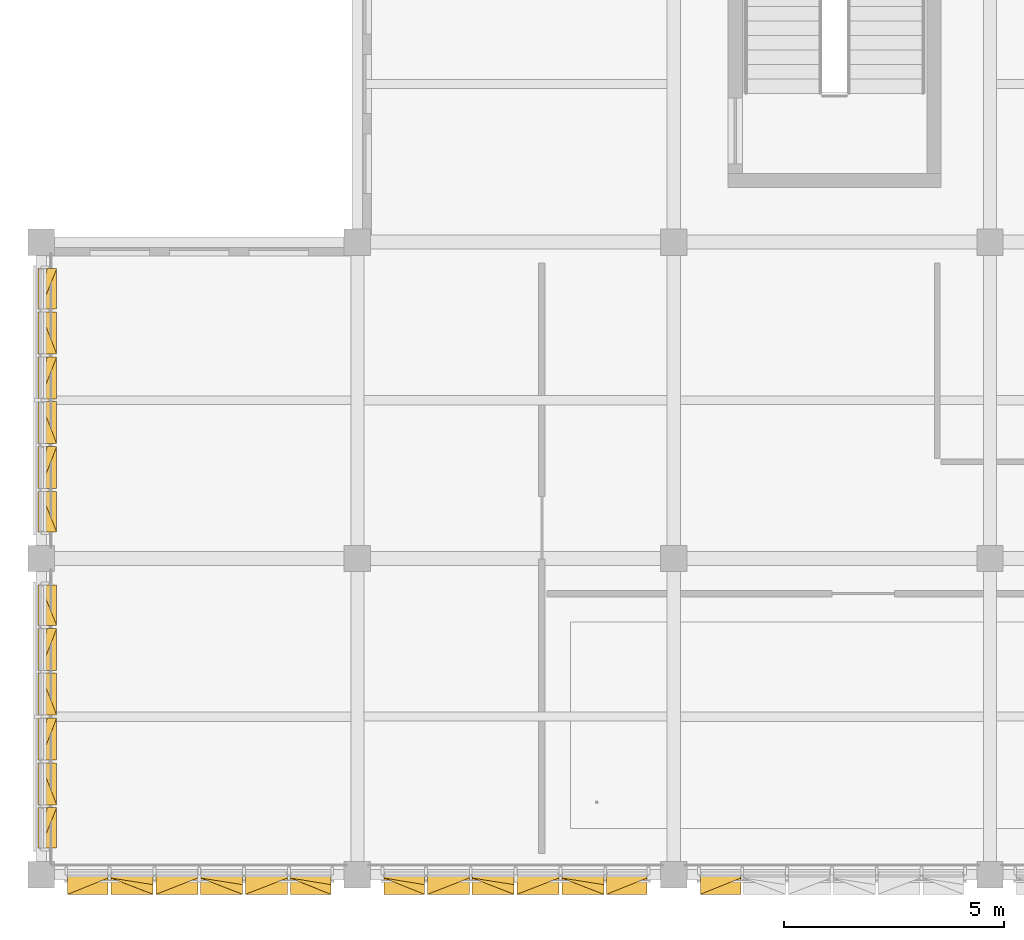
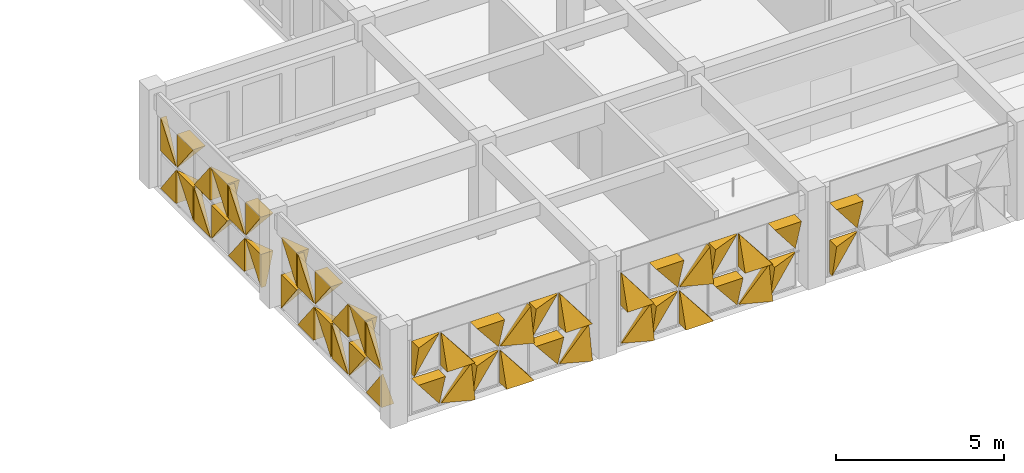
# One storey, part 86 of 99: 50 coverings.
"""IFC4 building model written with IfcOpenShell, lengths in metres."""

import ifcopenshell
import ifcopenshell.guid

model = None  # the IFC model being written
_history = None  # IfcOwnerHistory: only IFC2X3 demands one
_inside = {}  # id of a spatial element -> (the spatial element, [elements in it])
_under = {}  # id of a project, library or spatial element -> (it, [spatial elements below it])
_declared = {}  # id of a project -> (the project, [libraries it declares])
_typed = {}  # id of a type object -> (the type object, [elements of that type])
_made_of = {}  # id of a material, layer set ... -> (it, [elements and type objects made of it])


def new_model(schema):
    """Start an empty IFC model of exactly this schema.

    Asked for "IFC4X3", IfcOpenShell would pick the latest addendum, in which some entities
    have other attributes; the version numbers below select the first issue.
    IFC2X3 requires an IfcOwnerHistory on every rooted entity: one is made here for all.
    """
    global model, _history
    if schema == "IFC4X3":
        model = ifcopenshell.file(schema_version=(4, 3, 0, 0))
    else:
        model = ifcopenshell.file(schema=schema)
    _inside.clear()
    _under.clear()
    _declared.clear()
    _typed.clear()
    _made_of.clear()
    _history = None
    if model.schema == "IFC2X3":
        org = make("IfcOrganization", Name="unknown")
        user = make(
            "IfcPersonAndOrganization",
            ThePerson=make("IfcPerson", FamilyName="unknown"),
            TheOrganization=org,
        )
        app = make(
            "IfcApplication",
            ApplicationDeveloper=org,
            Version="unknown",
            ApplicationFullName="unknown",
            ApplicationIdentifier="unknown",
        )
        _history = make(
            "IfcOwnerHistory",
            OwningUser=user,
            OwningApplication=app,
            ChangeAction="ADDED",
            CreationDate=0,
        )
    return model


def make(cls, **values):
    """One entity of the class cls with the attributes given. An attribute that is None is left unset."""
    return model.create_entity(
        cls, **{name: value for name, value in values.items() if value is not None}
    )


def rooted(cls, **values):
    """An entity with a GlobalId (a new one), such as an element, a storey or a relation."""
    return make(cls, GlobalId=ifcopenshell.guid.new(), OwnerHistory=_history, **values)


def si_unit(unit_type, name, prefix=None):
    """IfcSIUnit, for example si_unit("LENGTHUNIT", "METRE", prefix="MILLI")."""
    return make("IfcSIUnit", UnitType=unit_type, Prefix=prefix, Name=name)


def assignment(units):
    """IfcUnitAssignment: the units of a project."""
    return None if units is None else make("IfcUnitAssignment", Units=units)


def point(xyz):
    """IfcCartesianPoint."""
    return None if xyz is None else make("IfcCartesianPoint", Coordinates=xyz)


def direction(xyz):
    """IfcDirection."""
    return None if xyz is None else make("IfcDirection", DirectionRatios=xyz)


def frame(location, z_axis=None, x_axis=None):
    """IfcAxis2Placement3D, a coordinate frame: its origin and axes. An axis left out is left unset."""
    return make(
        "IfcAxis2Placement3D",
        Location=point(location),
        Axis=direction(z_axis),
        RefDirection=direction(x_axis),
    )


def origin():
    """The frame at (0, 0, 0) with its axes left unset."""
    return frame((0.0, 0.0, 0.0))


def place(relative_to, where):
    """IfcLocalPlacement: puts the frame where relative to a parent placement (None: the world)."""
    return make(
        "IfcLocalPlacement", PlacementRelTo=relative_to, RelativePlacement=where
    )


def context(
    kind, dimensions, precision=None, world=None, true_north=None, identifier=None
):
    """IfcGeometricRepresentationContext, for example the 3D "Model" context."""
    return make(
        "IfcGeometricRepresentationContext",
        ContextIdentifier=identifier,
        ContextType=kind,
        CoordinateSpaceDimension=dimensions,
        Precision=precision,
        WorldCoordinateSystem=world,
        TrueNorth=true_north,
    )


def subcontext(parent, identifier, kind, view, scale=None):
    """IfcGeometricRepresentationSubContext, for example "Body" below "Model"."""
    return make(
        "IfcGeometricRepresentationSubContext",
        ContextIdentifier=identifier,
        ContextType=kind,
        ParentContext=parent,
        TargetScale=scale,
        TargetView=view,
    )


def project(units=None, contexts=None):
    """IfcProject with its units and contexts."""
    return rooted(
        "IfcProject",
        Name="project",
        RepresentationContexts=contexts,
        UnitsInContext=assignment(units),
    )


def spatial(cls, under=None, at=None, **own):
    """A site, building, storey or space (cls), placed at a placement, below another one or the project."""
    s = rooted(cls, ObjectPlacement=at, **own)
    if under is not None:
        _under.setdefault(under.id(), (under, []))[1].append(s)
    return s


def point_list(points):
    """IfcCartesianPointList2D or 3D."""
    cls = (
        "IfcCartesianPointList2D" if len(points[0]) == 2 else "IfcCartesianPointList3D"
    )
    return make(cls, CoordList=points)


def polygons(points, faces, closed=None, point_numbers=None):
    """IfcPolygonalFaceSet: a face is its outer loop, then its inner loops; points numbered from 1."""
    made = []
    for loops in faces:
        if len(loops) == 1:
            made.append(make("IfcIndexedPolygonalFace", CoordIndex=loops[0]))
        else:
            made.append(
                make(
                    "IfcIndexedPolygonalFaceWithVoids",
                    CoordIndex=loops[0],
                    InnerCoordIndices=loops[1:],
                )
            )
    return make(
        "IfcPolygonalFaceSet",
        Coordinates=point_list(points),
        Closed=closed,
        Faces=made,
        PnIndex=point_numbers,
    )


def shape(context_of_items, identifier, shape_type, items):
    """IfcShapeRepresentation: the items that make up one representation, for example the "Body"."""
    return make(
        "IfcShapeRepresentation",
        ContextOfItems=context_of_items,
        RepresentationIdentifier=identifier,
        RepresentationType=shape_type,
        Items=items,
    )


def material(Name=None, Category=None):
    """IfcMaterial."""
    return make("IfcMaterial", Name=Name, Category=Category)


def layer(
    of_material, thickness, ventilated=None, Name=None, Category=None, Priority=None
):
    """IfcMaterialLayer: one layer of a wall or slab, of a material (None: an air gap)."""
    return make(
        "IfcMaterialLayer",
        Material=of_material,
        LayerThickness=thickness,
        IsVentilated=ventilated,
        Name=Name,
        Category=Category,
        Priority=Priority,
    )


def layer_set(layers, Name=None):
    """IfcMaterialLayerSet."""
    return make("IfcMaterialLayerSet", MaterialLayers=layers, LayerSetName=Name)


def made_of(thing, what):
    """Note that an element or type object is made of a material, layer set ...; save() writes the relation."""
    if what is not None:
        _made_of.setdefault(what.id(), (what, []))[1].append(thing)
    return thing


def type_object(cls, material=None, **own):
    """A type object (cls), such as IfcWallType, which elements share."""
    return made_of(rooted(cls, **own), material)


def element(
    cls,
    number,
    at=None,
    inside=None,
    cuts=None,
    type_object=None,
    material=None,
    context=None,
    identifier="Body",
    shape_type=None,
    held_by="IfcProductDefinitionShape",
    body=None,
    shapes=None,
    **own,
):
    """One element of the class cls, such as IfcWall. Its Tag is "e" and its number.

    at: its placement. inside: the storey or other place that contains it. cuts: it is an
    opening in that element (IfcRelVoidsElement). A single representation is given by context,
    identifier, shape_type and body (its items); several are given by shapes. held_by: the class
    of the entity that holds the representations. save() writes the other relations.
    """
    e = rooted(cls, Tag="e%d" % number, ObjectPlacement=at, **own)
    if body is not None:
        shapes = [shape(context, identifier, shape_type, body)]
    if shapes is not None:
        e.Representation = make(held_by, Representations=shapes)
    if inside is not None:
        _inside.setdefault(inside.id(), (inside, []))[1].append(e)
    if cuts is not None:
        rooted(
            "IfcRelVoidsElement", RelatingBuildingElement=cuts, RelatedOpeningElement=e
        )
    if type_object is not None:
        _typed.setdefault(type_object.id(), (type_object, []))[1].append(e)
    return made_of(e, material)


def aggregate(whole, parts):
    """IfcRelAggregates: a whole, such as a stair, and the parts it consists of."""
    return rooted("IfcRelAggregates", RelatingObject=whole, RelatedObjects=parts)


def save(model, path):
    """Write the relations noted so far, then the file.

    IfcRelAggregates (storeys below a building ...), IfcRelContainedInSpatialStructure (elements
    in a storey), IfcRelDefinesByType, IfcRelAssociatesMaterial and IfcRelDeclares: one each for
    every whole, place, type object, material and project.
    """
    for whole, parts in _under.values():
        aggregate(whole, parts)
    for where, things in _inside.values():
        rooted(
            "IfcRelContainedInSpatialStructure",
            RelatedElements=things,
            RelatingStructure=where,
        )
    for kind, things in _typed.values():
        rooted("IfcRelDefinesByType", RelatedObjects=things, RelatingType=kind)
    for what, things in _made_of.values():
        rooted("IfcRelAssociatesMaterial", RelatedObjects=things, RelatingMaterial=what)
    for by, libraries in _declared.values():
        rooted("IfcRelDeclares", RelatingContext=by, RelatedDefinitions=libraries)
    model.write(path)


model = new_model("IFC4")

# Units and contexts
model_context = context("Model", 3, precision=1e-05, world=origin(), true_north=direction((0.0, 1.0)))
body_context = subcontext(model_context, "Body", "Model", "MODEL_VIEW")
ifc_project = project(units=[si_unit("LENGTHUNIT", "METRE"), si_unit("AREAUNIT", "SQUARE_METRE"), si_unit("VOLUMEUNIT", "CUBIC_METRE"), si_unit("PLANEANGLEUNIT", "RADIAN"), si_unit("MASSUNIT", "GRAM", prefix="KILO")], contexts=[model_context])

# Site, building, storey
site_placement = place(None, origin())
site = spatial("IfcSite", under=ifc_project, at=site_placement, CompositionType="ELEMENT")
building_placement = place(site_placement, origin())
building = spatial("IfcBuilding", under=site, at=building_placement, Name="Alvorim Cloister Faculty of Sciences", CompositionType="ELEMENT")
storey_placement = place(building_placement, frame((0.0, 0.0, 12.14990234375)))
storey = spatial("IfcBuildingStorey", under=building, at=storey_placement, Name="L03", CompositionType="ELEMENT", Elevation=12.14990234375)

# Coverings
ifc_material = material(Name="Perforated Bronze Alloy Sheet", Category="metal")
ifc_layer = layer(ifc_material, 0.0380859375)
ifc_layer_set = layer_set([ifc_layer], Name="Perforated Bronze Alloy Sheet")
covering_type = type_object("IfcCoveringType", Name="COV-TRI-BRZ", PredefinedType="CLADDING", material=ifc_layer_set)
covering_1_placement = place(storey_placement, frame((15.0048828125, -0.044921875, 0.14013671875), z_axis=(0.0, 0.0, 1.0), x_axis=(1.0, 0.0, 0.0)))
element("IfcCovering", 1, at=covering_1_placement, inside=storey, type_object=covering_type, Name="Diagonal Solid Metal Triangle TRI-TL", PredefinedType="CLADDING", context=body_context, shape_type="Tessellation", body=[
    polygons([(0.920607421875, 0.0260009765625, 1.21484375), (0.0, 0.0260009765625, 1.21484375), (0.0, 0.0260009765625, 0.002), (0.920607421875, -0.03, 1.21484375), (0.0, -0.4, 1.21484375), (0.0, -0.13999999999999999, 0.002)], [[[1, 3, 2]], [[4, 5, 6]], [[1, 2, 5, 4]], [[2, 3, 6, 5]], [[3, 1, 4, 6]]], closed=True),
])
covering_2_placement = place(storey_placement, frame((15.0048828125, -0.044921875, 1.4951171875), z_axis=(0.0, 0.0, 1.0), x_axis=(1.0, 0.0, 0.0)))
element("IfcCovering", 2, at=covering_2_placement, inside=storey, type_object=covering_type, Name="Diagonal Solid Metal Triangle TRI-TR", PredefinedType="CLADDING", context=body_context, shape_type="Tessellation", body=[
    polygons([(0.922607421875, 0.0260009765625, 0.002), (0.922607421875, 0.0260009765625, 1.215087890625), (0.002, 0.0260009765625, 1.215087890625), (0.922607421875, -0.03, 0.002), (0.922607421875, -0.4, 1.215087890625), (0.002, -0.4, 1.215087890625)], [[[1, 3, 2]], [[4, 5, 6]], [[1, 2, 5, 4]], [[2, 3, 6, 5]], [[3, 1, 4, 6]]], closed=True),
])
covering_3_placement = place(storey_placement, frame((7.804931640625, -0.044921875, 0.14013671875), z_axis=(0.0, 0.0, 1.0), x_axis=(1.0, 0.0, 0.0)))
element("IfcCovering", 3, at=covering_3_placement, inside=storey, type_object=covering_type, Name="Diagonal Solid Metal Triangle TRI-BR", PredefinedType="CLADDING", context=body_context, shape_type="Tessellation", body=[
    polygons([(0.002, 0.0260009765625, 0.0), (0.922607421875, 0.0260009765625, 0.0), (0.922607421875, 0.0260009765625, 1.21284375), (0.002, -0.03, 0.0), (0.922607421875, -0.4, 0.0), (0.922607421875, -0.18000000000000002, 1.21284375)], [[[1, 3, 2]], [[4, 5, 6]], [[1, 2, 5, 4]], [[2, 3, 6, 5]], [[3, 1, 4, 6]]], closed=True),
])
covering_4_placement = place(storey_placement, frame((7.804931640625, -0.044921875, 1.4951171875), z_axis=(0.0, 0.0, 1.0), x_axis=(1.0, 0.0, 0.0)))
element("IfcCovering", 4, at=covering_4_placement, inside=storey, type_object=covering_type, Name="Diagonal Solid Metal Triangle TRI-BL", PredefinedType="CLADDING", context=body_context, shape_type="Tessellation", body=[
    polygons([(0.0, 0.0260009765625, 0.0), (0.920607421875, 0.0260009765625, 0.0), (0.0, 0.0260009765625, 1.213087890625), (0.0, -0.4, 0.0), (0.920607421875, -0.4, 0.0), (0.0, -0.03, 1.213087890625)], [[[1, 3, 2]], [[4, 5, 6]], [[1, 2, 5, 4]], [[2, 3, 6, 5]], [[3, 1, 4, 6]]], closed=True),
])
covering_5_placement = place(storey_placement, frame((8.79248046875, -0.044921875, 0.14013671875), z_axis=(0.0, 0.0, 1.0), x_axis=(1.0, 0.0, 0.0)))
element("IfcCovering", 5, at=covering_5_placement, inside=storey, type_object=covering_type, Name="Diagonal Solid Metal Triangle TRI-TL", PredefinedType="CLADDING", context=body_context, shape_type="Tessellation", body=[
    polygons([(0.953078125, 0.0260009765625, 1.21484375), (0.0, 0.0260009765625, 1.21484375), (0.0, 0.0260009765625, 0.002), (0.953078125, -0.03, 1.21484375), (0.0, -0.4, 1.21484375), (0.0, -0.13999999999999999, 0.002)], [[[1, 3, 2]], [[4, 5, 6]], [[1, 2, 5, 4]], [[2, 3, 6, 5]], [[3, 1, 4, 6]]], closed=True),
])
covering_6_placement = place(storey_placement, frame((8.79248046875, -0.044921875, 1.4951171875), z_axis=(0.0, 0.0, 1.0), x_axis=(1.0, 0.0, 0.0)))
element("IfcCovering", 6, at=covering_6_placement, inside=storey, type_object=covering_type, Name="Diagonal Solid Metal Triangle TRI-TR", PredefinedType="CLADDING", context=body_context, shape_type="Tessellation", body=[
    polygons([(0.955078125, 0.0260009765625, 0.002), (0.955078125, 0.0260009765625, 1.215087890625), (0.002, 0.0260009765625, 1.215087890625), (0.955078125, -0.03, 0.002), (0.955078125, -0.4, 1.215087890625), (0.002, -0.4, 1.215087890625)], [[[1, 3, 2]], [[4, 5, 6]], [[1, 2, 5, 4]], [[2, 3, 6, 5]], [[3, 1, 4, 6]]], closed=True),
])
covering_7_placement = place(storey_placement, frame((9.8125, -0.044921875, 0.14013671875), z_axis=(0.0, 0.0, 1.0), x_axis=(1.0, 0.0, 0.0)))
element("IfcCovering", 7, at=covering_7_placement, inside=storey, type_object=covering_type, Name="Diagonal Solid Metal Triangle TRI-BL", PredefinedType="CLADDING", context=body_context, shape_type="Tessellation", body=[
    polygons([(0.0, 0.0260009765625, 0.0), (0.953078125, 0.0260009765625, 0.0), (0.0, 0.0260009765625, 1.21284375), (0.0, -0.4, 0.0), (0.953078125, -0.4, 0.0), (0.0, -0.03, 1.21284375)], [[[1, 3, 2]], [[4, 5, 6]], [[1, 2, 5, 4]], [[2, 3, 6, 5]], [[3, 1, 4, 6]]], closed=True),
])
covering_8_placement = place(storey_placement, frame((9.8125, -0.044921875, 1.4951171875), z_axis=(0.0, 0.0, 1.0), x_axis=(1.0, 0.0, 0.0)))
element("IfcCovering", 8, at=covering_8_placement, inside=storey, type_object=covering_type, Name="Diagonal Solid Metal Triangle TRI-BR", PredefinedType="CLADDING", context=body_context, shape_type="Tessellation", body=[
    polygons([(0.002, 0.0260009765625, 0.0), (0.955078125, 0.0260009765625, 0.0), (0.955078125, 0.0260009765625, 1.213087890625), (0.002, -0.03, 0.0), (0.955078125, -0.4, 0.0), (0.955078125, -0.18000000000000002, 1.213087890625)], [[[1, 3, 2]], [[4, 5, 6]], [[1, 2, 5, 4]], [[2, 3, 6, 5]], [[3, 1, 4, 6]]], closed=True),
])
covering_9_placement = place(storey_placement, frame((10.83251953125, -0.044921875, 0.14013671875), z_axis=(0.0, 0.0, 1.0), x_axis=(1.0, 0.0, 0.0)))
element("IfcCovering", 9, at=covering_9_placement, inside=storey, type_object=covering_type, Name="Diagonal Solid Metal Triangle TRI-TR", PredefinedType="CLADDING", context=body_context, shape_type="Tessellation", body=[
    polygons([(0.955078125, 0.0260009765625, 0.002), (0.955078125, 0.0260009765625, 1.21484375), (0.002, 0.0260009765625, 1.21484375), (0.955078125, -0.03, 0.002), (0.955078125, -0.4, 1.21484375), (0.002, -0.4, 1.21484375)], [[[1, 3, 2]], [[4, 5, 6]], [[1, 2, 5, 4]], [[2, 3, 6, 5]], [[3, 1, 4, 6]]], closed=True),
])
covering_10_placement = place(storey_placement, frame((10.83251953125, -0.044921875, 1.4951171875), z_axis=(0.0, 0.0, 1.0), x_axis=(1.0, 0.0, 0.0)))
element("IfcCovering", 10, at=covering_10_placement, inside=storey, type_object=covering_type, Name="Diagonal Solid Metal Triangle TRI-TL", PredefinedType="CLADDING", context=body_context, shape_type="Tessellation", body=[
    polygons([(0.953078125, 0.0260009765625, 1.215087890625), (0.0, 0.0260009765625, 1.215087890625), (0.0, 0.0260009765625, 0.002), (0.953078125, -0.03, 1.215087890625), (0.0, -0.4, 1.215087890625), (0.0, -0.13999999999999999, 0.002)], [[[1, 3, 2]], [[4, 5, 6]], [[1, 2, 5, 4]], [[2, 3, 6, 5]], [[3, 1, 4, 6]]], closed=True),
])
covering_11_placement = place(storey_placement, frame((11.8525390625, -0.044921875, 0.14013671875), z_axis=(0.0, 0.0, 1.0), x_axis=(1.0, 0.0, 0.0)))
element("IfcCovering", 11, at=covering_11_placement, inside=storey, type_object=covering_type, Name="Diagonal Solid Metal Triangle TRI-BR", PredefinedType="CLADDING", context=body_context, shape_type="Tessellation", body=[
    polygons([(0.002, 0.0260009765625, 0.0), (0.955078125, 0.0260009765625, 0.0), (0.955078125, 0.0260009765625, 1.21284375), (0.002, -0.03, 0.0), (0.955078125, -0.4, 0.0), (0.955078125, -0.18000000000000002, 1.21284375)], [[[1, 3, 2]], [[4, 5, 6]], [[1, 2, 5, 4]], [[2, 3, 6, 5]], [[3, 1, 4, 6]]], closed=True),
])
covering_12_placement = place(storey_placement, frame((11.8525390625, -0.044921875, 1.4951171875), z_axis=(0.0, 0.0, 1.0), x_axis=(1.0, 0.0, 0.0)))
element("IfcCovering", 12, at=covering_12_placement, inside=storey, type_object=covering_type, Name="Diagonal Solid Metal Triangle TRI-BL", PredefinedType="CLADDING", context=body_context, shape_type="Tessellation", body=[
    polygons([(0.0, 0.0260009765625, 0.0), (0.953078125, 0.0260009765625, 0.0), (0.0, 0.0260009765625, 1.213087890625), (0.0, -0.4, 0.0), (0.953078125, -0.4, 0.0), (0.0, -0.03, 1.213087890625)], [[[1, 3, 2]], [[4, 5, 6]], [[1, 2, 5, 4]], [[2, 3, 6, 5]], [[3, 1, 4, 6]]], closed=True),
])
covering_13_placement = place(storey_placement, frame((12.87255859375, -0.044921875, 0.14013671875), z_axis=(0.0, 0.0, 1.0), x_axis=(1.0, 0.0, 0.0)))
element("IfcCovering", 13, at=covering_13_placement, inside=storey, type_object=covering_type, Name="Diagonal Solid Metal Triangle TRI-TL", PredefinedType="CLADDING", context=body_context, shape_type="Tessellation", body=[
    polygons([(0.920607421875, 0.0260009765625, 1.21484375), (0.0, 0.0260009765625, 1.21484375), (0.0, 0.0260009765625, 0.002), (0.920607421875, -0.03, 1.21484375), (0.0, -0.4, 1.21484375), (0.0, -0.13999999999999999, 0.002)], [[[1, 3, 2]], [[4, 5, 6]], [[1, 2, 5, 4]], [[2, 3, 6, 5]], [[3, 1, 4, 6]]], closed=True),
])
covering_14_placement = place(storey_placement, frame((12.87255859375, -0.044921875, 1.4951171875), z_axis=(0.0, 0.0, 1.0), x_axis=(1.0, 0.0, 0.0)))
element("IfcCovering", 14, at=covering_14_placement, inside=storey, type_object=covering_type, Name="Diagonal Solid Metal Triangle TRI-TR", PredefinedType="CLADDING", context=body_context, shape_type="Tessellation", body=[
    polygons([(0.922607421875, 0.0260009765625, 0.002), (0.922607421875, 0.0260009765625, 1.215087890625), (0.002, 0.0260009765625, 1.215087890625), (0.922607421875, -0.03, 0.002), (0.922607421875, -0.4, 1.215087890625), (0.002, -0.4, 1.215087890625)], [[[1, 3, 2]], [[4, 5, 6]], [[1, 2, 5, 4]], [[2, 3, 6, 5]], [[3, 1, 4, 6]]], closed=True),
])
covering_15_placement = place(storey_placement, frame((0.60498046875, -0.044921875, 0.14013671875), z_axis=(0.0, 0.0, 1.0), x_axis=(1.0, 0.0, 0.0)))
element("IfcCovering", 15, at=covering_15_placement, inside=storey, type_object=covering_type, Name="Diagonal Solid Metal Triangle TRI-TR", PredefinedType="CLADDING", context=body_context, shape_type="Tessellation", body=[
    polygons([(0.922607421875, 0.0260009765625, 0.002), (0.922607421875, 0.0260009765625, 1.21484375), (0.002, 0.0260009765625, 1.21484375), (0.922607421875, -0.03, 0.002), (0.922607421875, -0.4, 1.21484375), (0.002, -0.4, 1.21484375)], [[[1, 3, 2]], [[4, 5, 6]], [[1, 2, 5, 4]], [[2, 3, 6, 5]], [[3, 1, 4, 6]]], closed=True),
])
covering_16_placement = place(storey_placement, frame((0.60498046875, -0.044921875, 1.4951171875), z_axis=(0.0, 0.0, 1.0), x_axis=(1.0, 0.0, 0.0)))
element("IfcCovering", 16, at=covering_16_placement, inside=storey, type_object=covering_type, Name="Diagonal Solid Metal Triangle TRI-TL", PredefinedType="CLADDING", context=body_context, shape_type="Tessellation", body=[
    polygons([(0.920607421875, 0.0260009765625, 1.215087890625), (0.0, 0.0260009765625, 1.215087890625), (0.0, 0.0260009765625, 0.002), (0.920607421875, -0.03, 1.215087890625), (0.0, -0.4, 1.215087890625), (0.0, -0.13999999999999999, 0.002)], [[[1, 3, 2]], [[4, 5, 6]], [[1, 2, 5, 4]], [[2, 3, 6, 5]], [[3, 1, 4, 6]]], closed=True),
])
covering_17_placement = place(storey_placement, frame((1.592529296875, -0.044921875, 0.14013671875), z_axis=(0.0, 0.0, 1.0), x_axis=(1.0, 0.0, 0.0)))
element("IfcCovering", 17, at=covering_17_placement, inside=storey, type_object=covering_type, Name="Diagonal Solid Metal Triangle TRI-BR", PredefinedType="CLADDING", context=body_context, shape_type="Tessellation", body=[
    polygons([(0.002, 0.0260009765625, 0.0), (0.955078125, 0.0260009765625, 0.0), (0.955078125, 0.0260009765625, 1.21284375), (0.002, -0.03, 0.0), (0.955078125, -0.4, 0.0), (0.955078125, -0.18000000000000002, 1.21284375)], [[[1, 3, 2]], [[4, 5, 6]], [[1, 2, 5, 4]], [[2, 3, 6, 5]], [[3, 1, 4, 6]]], closed=True),
])
covering_18_placement = place(storey_placement, frame((1.592529296875, -0.044921875, 1.4951171875), z_axis=(0.0, 0.0, 1.0), x_axis=(1.0, 0.0, 0.0)))
element("IfcCovering", 18, at=covering_18_placement, inside=storey, type_object=covering_type, Name="Diagonal Solid Metal Triangle TRI-BL", PredefinedType="CLADDING", context=body_context, shape_type="Tessellation", body=[
    polygons([(0.0, 0.0260009765625, 0.0), (0.953078125, 0.0260009765625, 0.0), (0.0, 0.0260009765625, 1.213087890625), (0.0, -0.4, 0.0), (0.953078125, -0.4, 0.0), (0.0, -0.03, 1.213087890625)], [[[1, 3, 2]], [[4, 5, 6]], [[1, 2, 5, 4]], [[2, 3, 6, 5]], [[3, 1, 4, 6]]], closed=True),
])
covering_19_placement = place(storey_placement, frame((2.612548828125, -0.044921875, 0.14013671875), z_axis=(0.0, 0.0, 1.0), x_axis=(1.0, 0.0, 0.0)))
element("IfcCovering", 19, at=covering_19_placement, inside=storey, type_object=covering_type, Name="Diagonal Solid Metal Triangle TRI-TL", PredefinedType="CLADDING", context=body_context, shape_type="Tessellation", body=[
    polygons([(0.953078125, 0.0260009765625, 1.21484375), (0.0, 0.0260009765625, 1.21484375), (0.0, 0.0260009765625, 0.002), (0.953078125, -0.03, 1.21484375), (0.0, -0.4, 1.21484375), (0.0, -0.13999999999999999, 0.002)], [[[1, 3, 2]], [[4, 5, 6]], [[1, 2, 5, 4]], [[2, 3, 6, 5]], [[3, 1, 4, 6]]], closed=True),
])
covering_20_placement = place(storey_placement, frame((2.612548828125, -0.044921875, 1.4951171875), z_axis=(0.0, 0.0, 1.0), x_axis=(1.0, 0.0, 0.0)))
element("IfcCovering", 20, at=covering_20_placement, inside=storey, type_object=covering_type, Name="Diagonal Solid Metal Triangle TRI-TR", PredefinedType="CLADDING", context=body_context, shape_type="Tessellation", body=[
    polygons([(0.955078125, 0.0260009765625, 0.002), (0.955078125, 0.0260009765625, 1.215087890625), (0.002, 0.0260009765625, 1.215087890625), (0.955078125, -0.03, 0.002), (0.955078125, -0.4, 1.215087890625), (0.002, -0.4, 1.215087890625)], [[[1, 3, 2]], [[4, 5, 6]], [[1, 2, 5, 4]], [[2, 3, 6, 5]], [[3, 1, 4, 6]]], closed=True),
])
covering_21_placement = place(storey_placement, frame((3.632568359375, -0.044921875, 0.14013671875), z_axis=(0.0, 0.0, 1.0), x_axis=(1.0, 0.0, 0.0)))
element("IfcCovering", 21, at=covering_21_placement, inside=storey, type_object=covering_type, Name="Diagonal Solid Metal Triangle TRI-BL", PredefinedType="CLADDING", context=body_context, shape_type="Tessellation", body=[
    polygons([(0.0, 0.0260009765625, 0.0), (0.953078125, 0.0260009765625, 0.0), (0.0, 0.0260009765625, 1.21284375), (0.0, -0.4, 0.0), (0.953078125, -0.4, 0.0), (0.0, -0.03, 1.21284375)], [[[1, 3, 2]], [[4, 5, 6]], [[1, 2, 5, 4]], [[2, 3, 6, 5]], [[3, 1, 4, 6]]], closed=True),
])
covering_22_placement = place(storey_placement, frame((3.632568359375, -0.044921875, 1.4951171875), z_axis=(0.0, 0.0, 1.0), x_axis=(1.0, 0.0, 0.0)))
element("IfcCovering", 22, at=covering_22_placement, inside=storey, type_object=covering_type, Name="Diagonal Solid Metal Triangle TRI-BR", PredefinedType="CLADDING", context=body_context, shape_type="Tessellation", body=[
    polygons([(0.002, 0.0260009765625, 0.0), (0.955078125, 0.0260009765625, 0.0), (0.955078125, 0.0260009765625, 1.213087890625), (0.002, -0.03, 0.0), (0.955078125, -0.4, 0.0), (0.955078125, -0.18000000000000002, 1.213087890625)], [[[1, 3, 2]], [[4, 5, 6]], [[1, 2, 5, 4]], [[2, 3, 6, 5]], [[3, 1, 4, 6]]], closed=True),
])
covering_23_placement = place(storey_placement, frame((4.652587890625, -0.044921875, 0.14013671875), z_axis=(0.0, 0.0, 1.0), x_axis=(1.0, 0.0, 0.0)))
element("IfcCovering", 23, at=covering_23_placement, inside=storey, type_object=covering_type, Name="Diagonal Solid Metal Triangle TRI-TR", PredefinedType="CLADDING", context=body_context, shape_type="Tessellation", body=[
    polygons([(0.955078125, 0.0260009765625, 0.002), (0.955078125, 0.0260009765625, 1.21484375), (0.002, 0.0260009765625, 1.21484375), (0.955078125, -0.03, 0.002), (0.955078125, -0.4, 1.21484375), (0.002, -0.4, 1.21484375)], [[[1, 3, 2]], [[4, 5, 6]], [[1, 2, 5, 4]], [[2, 3, 6, 5]], [[3, 1, 4, 6]]], closed=True),
])
covering_24_placement = place(storey_placement, frame((4.652587890625, -0.044921875, 1.4951171875), z_axis=(0.0, 0.0, 1.0), x_axis=(1.0, 0.0, 0.0)))
element("IfcCovering", 24, at=covering_24_placement, inside=storey, type_object=covering_type, Name="Diagonal Solid Metal Triangle TRI-TL", PredefinedType="CLADDING", context=body_context, shape_type="Tessellation", body=[
    polygons([(0.953078125, 0.0260009765625, 1.215087890625), (0.0, 0.0260009765625, 1.215087890625), (0.0, 0.0260009765625, 0.002), (0.953078125, -0.03, 1.215087890625), (0.0, -0.4, 1.215087890625), (0.0, -0.13999999999999999, 0.002)], [[[1, 3, 2]], [[4, 5, 6]], [[1, 2, 5, 4]], [[2, 3, 6, 5]], [[3, 1, 4, 6]]], closed=True),
])
covering_25_placement = place(storey_placement, frame((5.672607421875, -0.044921875, 0.14013671875), z_axis=(0.0, 0.0, 1.0), x_axis=(1.0, 0.0, 0.0)))
element("IfcCovering", 25, at=covering_25_placement, inside=storey, type_object=covering_type, Name="Diagonal Solid Metal Triangle TRI-BR", PredefinedType="CLADDING", context=body_context, shape_type="Tessellation", body=[
    polygons([(0.002, 0.0260009765625, 0.0), (0.922607421875, 0.0260009765625, 0.0), (0.922607421875, 0.0260009765625, 1.21284375), (0.002, -0.03, 0.0), (0.922607421875, -0.4, 0.0), (0.922607421875, -0.18000000000000002, 1.21284375)], [[[1, 3, 2]], [[4, 5, 6]], [[1, 2, 5, 4]], [[2, 3, 6, 5]], [[3, 1, 4, 6]]], closed=True),
])
covering_26_placement = place(storey_placement, frame((5.672607421875, -0.044921875, 1.4951171875), z_axis=(0.0, 0.0, 1.0), x_axis=(1.0, 0.0, 0.0)))
element("IfcCovering", 26, at=covering_26_placement, inside=storey, type_object=covering_type, Name="Diagonal Solid Metal Triangle TRI-BL", PredefinedType="CLADDING", context=body_context, shape_type="Tessellation", body=[
    polygons([(0.0, 0.0260009765625, 0.0), (0.920607421875, 0.0260009765625, 0.0), (0.0, 0.0260009765625, 1.213087890625), (0.0, -0.4, 0.0), (0.920607421875, -0.4, 0.0), (0.0, -0.03, 1.213087890625)], [[[1, 3, 2]], [[4, 5, 6]], [[1, 2, 5, 4]], [[2, 3, 6, 5]], [[3, 1, 4, 6]]], closed=True),
])
covering_27_placement = place(storey_placement, frame((-0.044921875, 0.60498046875, 0.14013671875), z_axis=(0.0, 0.0, 1.0), x_axis=(0.0, 1.0, 0.0)))
element("IfcCovering", 27, at=covering_27_placement, inside=storey, type_object=covering_type, Name="Diagonal Solid Metal Triangle TRI-BL", PredefinedType="CLADDING", context=body_context, shape_type="Tessellation", body=[
    polygons([(0.0, 0.0260009765625, 0.0), (0.920607421875, 0.0260009765625, 0.0), (0.0, 0.0260009765625, 1.21284375), (0.0, -0.4, 0.0), (0.920607421875, -0.4, 0.0), (0.0, -0.03, 1.21284375)], [[[1, 3, 2]], [[4, 5, 6]], [[1, 2, 5, 4]], [[2, 3, 6, 5]], [[3, 1, 4, 6]]], closed=True),
])
covering_28_placement = place(storey_placement, frame((-0.044921875, 0.60498046875, 1.4951171875), z_axis=(0.0, 0.0, 1.0), x_axis=(0.0, 1.0, 0.0)))
element("IfcCovering", 28, at=covering_28_placement, inside=storey, type_object=covering_type, Name="Diagonal Solid Metal Triangle TRI-BR", PredefinedType="CLADDING", context=body_context, shape_type="Tessellation", body=[
    polygons([(0.002, 0.0260009765625, 0.0), (0.922607421875, 0.0260009765625, 0.0), (0.922607421875, 0.0260009765625, 1.213087890625), (0.002, -0.03, 0.0), (0.922607421875, -0.4, 0.0), (0.922607421875, -0.18000000000000002, 1.213087890625)], [[[1, 3, 2]], [[4, 5, 6]], [[1, 2, 5, 4]], [[2, 3, 6, 5]], [[3, 1, 4, 6]]], closed=True),
])
covering_29_placement = place(storey_placement, frame((-0.044921875, 1.592529296875, 0.14013671875), z_axis=(0.0, 0.0, 1.0), x_axis=(0.0, 1.0, 0.0)))
element("IfcCovering", 29, at=covering_29_placement, inside=storey, type_object=covering_type, Name="Diagonal Solid Metal Triangle TRI-TR", PredefinedType="CLADDING", context=body_context, shape_type="Tessellation", body=[
    polygons([(0.955078125, 0.0260009765625, 0.002), (0.955078125, 0.0260009765625, 1.21484375), (0.002, 0.0260009765625, 1.21484375), (0.955078125, -0.03, 0.002), (0.955078125, -0.4, 1.21484375), (0.002, -0.4, 1.21484375)], [[[1, 3, 2]], [[4, 5, 6]], [[1, 2, 5, 4]], [[2, 3, 6, 5]], [[3, 1, 4, 6]]], closed=True),
])
covering_30_placement = place(storey_placement, frame((-0.044921875, 1.592529296875, 1.4951171875), z_axis=(0.0, 0.0, 1.0), x_axis=(0.0, 1.0, 0.0)))
element("IfcCovering", 30, at=covering_30_placement, inside=storey, type_object=covering_type, Name="Diagonal Solid Metal Triangle TRI-TL", PredefinedType="CLADDING", context=body_context, shape_type="Tessellation", body=[
    polygons([(0.953078125, 0.0260009765625, 1.215087890625), (0.0, 0.0260009765625, 1.215087890625), (0.0, 0.0260009765625, 0.002), (0.953078125, -0.03, 1.215087890625), (0.0, -0.4, 1.215087890625), (0.0, -0.13999999999999999, 0.002)], [[[1, 3, 2]], [[4, 5, 6]], [[1, 2, 5, 4]], [[2, 3, 6, 5]], [[3, 1, 4, 6]]], closed=True),
])
covering_31_placement = place(storey_placement, frame((-0.044921875, 2.612548828125, 0.14013671875), z_axis=(0.0, 0.0, 1.0), x_axis=(0.0, 1.0, 0.0)))
element("IfcCovering", 31, at=covering_31_placement, inside=storey, type_object=covering_type, Name="Diagonal Solid Metal Triangle TRI-BR", PredefinedType="CLADDING", context=body_context, shape_type="Tessellation", body=[
    polygons([(0.002, 0.0260009765625, 0.0), (0.955078125, 0.0260009765625, 0.0), (0.955078125, 0.0260009765625, 1.21284375), (0.002, -0.03, 0.0), (0.955078125, -0.4, 0.0), (0.955078125, -0.18000000000000002, 1.21284375)], [[[1, 3, 2]], [[4, 5, 6]], [[1, 2, 5, 4]], [[2, 3, 6, 5]], [[3, 1, 4, 6]]], closed=True),
])
covering_32_placement = place(storey_placement, frame((-0.044921875, 2.612548828125, 1.4951171875), z_axis=(0.0, 0.0, 1.0), x_axis=(0.0, 1.0, 0.0)))
element("IfcCovering", 32, at=covering_32_placement, inside=storey, type_object=covering_type, Name="Diagonal Solid Metal Triangle TRI-BL", PredefinedType="CLADDING", context=body_context, shape_type="Tessellation", body=[
    polygons([(0.0, 0.0260009765625, 0.0), (0.953078125, 0.0260009765625, 0.0), (0.0, 0.0260009765625, 1.213087890625), (0.0, -0.4, 0.0), (0.953078125, -0.4, 0.0), (0.0, -0.03, 1.213087890625)], [[[1, 3, 2]], [[4, 5, 6]], [[1, 2, 5, 4]], [[2, 3, 6, 5]], [[3, 1, 4, 6]]], closed=True),
])
covering_33_placement = place(storey_placement, frame((-0.044921875, 3.632568359375, 0.14013671875), z_axis=(0.0, 0.0, 1.0), x_axis=(0.0, 1.0, 0.0)))
element("IfcCovering", 33, at=covering_33_placement, inside=storey, type_object=covering_type, Name="Diagonal Solid Metal Triangle TRI-TL", PredefinedType="CLADDING", context=body_context, shape_type="Tessellation", body=[
    polygons([(0.953078125, 0.0260009765625, 1.21484375), (0.0, 0.0260009765625, 1.21484375), (0.0, 0.0260009765625, 0.002), (0.953078125, -0.03, 1.21484375), (0.0, -0.4, 1.21484375), (0.0, -0.13999999999999999, 0.002)], [[[1, 3, 2]], [[4, 5, 6]], [[1, 2, 5, 4]], [[2, 3, 6, 5]], [[3, 1, 4, 6]]], closed=True),
])
covering_34_placement = place(storey_placement, frame((-0.044921875, 3.632568359375, 1.4951171875), z_axis=(0.0, 0.0, 1.0), x_axis=(0.0, 1.0, 0.0)))
element("IfcCovering", 34, at=covering_34_placement, inside=storey, type_object=covering_type, Name="Diagonal Solid Metal Triangle TRI-TR", PredefinedType="CLADDING", context=body_context, shape_type="Tessellation", body=[
    polygons([(0.955078125, 0.0260009765625, 0.002), (0.955078125, 0.0260009765625, 1.215087890625), (0.002, 0.0260009765625, 1.215087890625), (0.955078125, -0.03, 0.002), (0.955078125, -0.4, 1.215087890625), (0.002, -0.4, 1.215087890625)], [[[1, 3, 2]], [[4, 5, 6]], [[1, 2, 5, 4]], [[2, 3, 6, 5]], [[3, 1, 4, 6]]], closed=True),
])
covering_35_placement = place(storey_placement, frame((-0.044921875, 4.652587890625, 0.14013671875), z_axis=(0.0, 0.0, 1.0), x_axis=(0.0, 1.0, 0.0)))
element("IfcCovering", 35, at=covering_35_placement, inside=storey, type_object=covering_type, Name="Diagonal Solid Metal Triangle TRI-BL", PredefinedType="CLADDING", context=body_context, shape_type="Tessellation", body=[
    polygons([(0.0, 0.0260009765625, 0.0), (0.953078125, 0.0260009765625, 0.0), (0.0, 0.0260009765625, 1.21284375), (0.0, -0.4, 0.0), (0.953078125, -0.4, 0.0), (0.0, -0.03, 1.21284375)], [[[1, 3, 2]], [[4, 5, 6]], [[1, 2, 5, 4]], [[2, 3, 6, 5]], [[3, 1, 4, 6]]], closed=True),
])
covering_36_placement = place(storey_placement, frame((-0.044921875, 4.652587890625, 1.4951171875), z_axis=(0.0, 0.0, 1.0), x_axis=(0.0, 1.0, 0.0)))
element("IfcCovering", 36, at=covering_36_placement, inside=storey, type_object=covering_type, Name="Diagonal Solid Metal Triangle TRI-BR", PredefinedType="CLADDING", context=body_context, shape_type="Tessellation", body=[
    polygons([(0.002, 0.0260009765625, 0.0), (0.955078125, 0.0260009765625, 0.0), (0.955078125, 0.0260009765625, 1.213087890625), (0.002, -0.03, 0.0), (0.955078125, -0.4, 0.0), (0.955078125, -0.18000000000000002, 1.213087890625)], [[[1, 3, 2]], [[4, 5, 6]], [[1, 2, 5, 4]], [[2, 3, 6, 5]], [[3, 1, 4, 6]]], closed=True),
])
covering_37_placement = place(storey_placement, frame((-0.044921875, 5.672607421875, 0.14013671875), z_axis=(0.0, 0.0, 1.0), x_axis=(0.0, 1.0, 0.0)))
element("IfcCovering", 37, at=covering_37_placement, inside=storey, type_object=covering_type, Name="Diagonal Solid Metal Triangle TRI-TR", PredefinedType="CLADDING", context=body_context, shape_type="Tessellation", body=[
    polygons([(0.922607421875, 0.0260009765625, 0.002), (0.922607421875, 0.0260009765625, 1.21484375), (0.002, 0.0260009765625, 1.21484375), (0.922607421875, -0.03, 0.002), (0.922607421875, -0.4, 1.21484375), (0.002, -0.4, 1.21484375)], [[[1, 3, 2]], [[4, 5, 6]], [[1, 2, 5, 4]], [[2, 3, 6, 5]], [[3, 1, 4, 6]]], closed=True),
])
covering_38_placement = place(storey_placement, frame((-0.044921875, 5.672607421875, 1.4951171875), z_axis=(0.0, 0.0, 1.0), x_axis=(0.0, 1.0, 0.0)))
element("IfcCovering", 38, at=covering_38_placement, inside=storey, type_object=covering_type, Name="Diagonal Solid Metal Triangle TRI-TL", PredefinedType="CLADDING", context=body_context, shape_type="Tessellation", body=[
    polygons([(0.920607421875, 0.0260009765625, 1.215087890625), (0.0, 0.0260009765625, 1.215087890625), (0.0, 0.0260009765625, 0.002), (0.920607421875, -0.03, 1.215087890625), (0.0, -0.4, 1.215087890625), (0.0, -0.13999999999999999, 0.002)], [[[1, 3, 2]], [[4, 5, 6]], [[1, 2, 5, 4]], [[2, 3, 6, 5]], [[3, 1, 4, 6]]], closed=True),
])
covering_39_placement = place(storey_placement, frame((-0.044921875, 7.804931640625, 0.14013671875), z_axis=(0.0, 0.0, 1.0), x_axis=(0.0, 1.0, 0.0)))
element("IfcCovering", 39, at=covering_39_placement, inside=storey, type_object=covering_type, Name="Diagonal Solid Metal Triangle TRI-TL", PredefinedType="CLADDING", context=body_context, shape_type="Tessellation", body=[
    polygons([(0.920607421875, 0.0260009765625, 1.21484375), (0.0, 0.0260009765625, 1.21484375), (0.0, 0.0260009765625, 0.002), (0.920607421875, -0.03, 1.21484375), (0.0, -0.4, 1.21484375), (0.0, -0.13999999999999999, 0.002)], [[[1, 3, 2]], [[4, 5, 6]], [[1, 2, 5, 4]], [[2, 3, 6, 5]], [[3, 1, 4, 6]]], closed=True),
])
covering_40_placement = place(storey_placement, frame((-0.044921875, 7.804931640625, 1.4951171875), z_axis=(0.0, 0.0, 1.0), x_axis=(0.0, 1.0, 0.0)))
element("IfcCovering", 40, at=covering_40_placement, inside=storey, type_object=covering_type, Name="Diagonal Solid Metal Triangle TRI-TR", PredefinedType="CLADDING", context=body_context, shape_type="Tessellation", body=[
    polygons([(0.922607421875, 0.0260009765625, 0.002), (0.922607421875, 0.0260009765625, 1.215087890625), (0.002, 0.0260009765625, 1.215087890625), (0.922607421875, -0.03, 0.002), (0.922607421875, -0.4, 1.215087890625), (0.002, -0.4, 1.215087890625)], [[[1, 3, 2]], [[4, 5, 6]], [[1, 2, 5, 4]], [[2, 3, 6, 5]], [[3, 1, 4, 6]]], closed=True),
])
covering_41_placement = place(storey_placement, frame((-0.044921875, 8.79248046875, 0.14013671875), z_axis=(0.0, 0.0, 1.0), x_axis=(0.0, 1.0, 0.0)))
element("IfcCovering", 41, at=covering_41_placement, inside=storey, type_object=covering_type, Name="Diagonal Solid Metal Triangle TRI-BL", PredefinedType="CLADDING", context=body_context, shape_type="Tessellation", body=[
    polygons([(0.0, 0.0260009765625, 0.0), (0.953078125, 0.0260009765625, 0.0), (0.0, 0.0260009765625, 1.21284375), (0.0, -0.4, 0.0), (0.953078125, -0.4, 0.0), (0.0, -0.03, 1.21284375)], [[[1, 3, 2]], [[4, 5, 6]], [[1, 2, 5, 4]], [[2, 3, 6, 5]], [[3, 1, 4, 6]]], closed=True),
])
covering_42_placement = place(storey_placement, frame((-0.044921875, 8.79248046875, 1.4951171875), z_axis=(0.0, 0.0, 1.0), x_axis=(0.0, 1.0, 0.0)))
element("IfcCovering", 42, at=covering_42_placement, inside=storey, type_object=covering_type, Name="Diagonal Solid Metal Triangle TRI-BR", PredefinedType="CLADDING", context=body_context, shape_type="Tessellation", body=[
    polygons([(0.002, 0.0260009765625, 0.0), (0.955078125, 0.0260009765625, 0.0), (0.955078125, 0.0260009765625, 1.213087890625), (0.002, -0.03, 0.0), (0.955078125, -0.4, 0.0), (0.955078125, -0.18000000000000002, 1.213087890625)], [[[1, 3, 2]], [[4, 5, 6]], [[1, 2, 5, 4]], [[2, 3, 6, 5]], [[3, 1, 4, 6]]], closed=True),
])
covering_43_placement = place(storey_placement, frame((-0.044921875, 9.8125, 0.14013671875), z_axis=(0.0, 0.0, 1.0), x_axis=(0.0, 1.0, 0.0)))
element("IfcCovering", 43, at=covering_43_placement, inside=storey, type_object=covering_type, Name="Diagonal Solid Metal Triangle TRI-TR", PredefinedType="CLADDING", context=body_context, shape_type="Tessellation", body=[
    polygons([(0.955078125, 0.0260009765625, 0.002), (0.955078125, 0.0260009765625, 1.21484375), (0.002, 0.0260009765625, 1.21484375), (0.955078125, -0.03, 0.002), (0.955078125, -0.4, 1.21484375), (0.002, -0.4, 1.21484375)], [[[1, 3, 2]], [[4, 5, 6]], [[1, 2, 5, 4]], [[2, 3, 6, 5]], [[3, 1, 4, 6]]], closed=True),
])
covering_44_placement = place(storey_placement, frame((-0.044921875, 9.8125, 1.4951171875), z_axis=(0.0, 0.0, 1.0), x_axis=(0.0, 1.0, 0.0)))
element("IfcCovering", 44, at=covering_44_placement, inside=storey, type_object=covering_type, Name="Diagonal Solid Metal Triangle TRI-TL", PredefinedType="CLADDING", context=body_context, shape_type="Tessellation", body=[
    polygons([(0.953078125, 0.0260009765625, 1.215087890625), (0.0, 0.0260009765625, 1.215087890625), (0.0, 0.0260009765625, 0.002), (0.953078125, -0.03, 1.215087890625), (0.0, -0.4, 1.215087890625), (0.0, -0.13999999999999999, 0.002)], [[[1, 3, 2]], [[4, 5, 6]], [[1, 2, 5, 4]], [[2, 3, 6, 5]], [[3, 1, 4, 6]]], closed=True),
])
covering_45_placement = place(storey_placement, frame((-0.044921875, 10.83251953125, 0.14013671875), z_axis=(0.0, 0.0, 1.0), x_axis=(0.0, 1.0, 0.0)))
element("IfcCovering", 45, at=covering_45_placement, inside=storey, type_object=covering_type, Name="Diagonal Solid Metal Triangle TRI-BR", PredefinedType="CLADDING", context=body_context, shape_type="Tessellation", body=[
    polygons([(0.002, 0.0260009765625, 0.0), (0.955078125, 0.0260009765625, 0.0), (0.955078125, 0.0260009765625, 1.21284375), (0.002, -0.03, 0.0), (0.955078125, -0.4, 0.0), (0.955078125, -0.18000000000000002, 1.21284375)], [[[1, 3, 2]], [[4, 5, 6]], [[1, 2, 5, 4]], [[2, 3, 6, 5]], [[3, 1, 4, 6]]], closed=True),
])
covering_46_placement = place(storey_placement, frame((-0.044921875, 10.83251953125, 1.4951171875), z_axis=(0.0, 0.0, 1.0), x_axis=(0.0, 1.0, 0.0)))
element("IfcCovering", 46, at=covering_46_placement, inside=storey, type_object=covering_type, Name="Diagonal Solid Metal Triangle TRI-BL", PredefinedType="CLADDING", context=body_context, shape_type="Tessellation", body=[
    polygons([(0.0, 0.0260009765625, 0.0), (0.953078125, 0.0260009765625, 0.0), (0.0, 0.0260009765625, 1.213087890625), (0.0, -0.4, 0.0), (0.953078125, -0.4, 0.0), (0.0, -0.03, 1.213087890625)], [[[1, 3, 2]], [[4, 5, 6]], [[1, 2, 5, 4]], [[2, 3, 6, 5]], [[3, 1, 4, 6]]], closed=True),
])
covering_47_placement = place(storey_placement, frame((-0.044921875, 11.8525390625, 0.14013671875), z_axis=(0.0, 0.0, 1.0), x_axis=(0.0, 1.0, 0.0)))
element("IfcCovering", 47, at=covering_47_placement, inside=storey, type_object=covering_type, Name="Diagonal Solid Metal Triangle TRI-TL", PredefinedType="CLADDING", context=body_context, shape_type="Tessellation", body=[
    polygons([(0.953078125, 0.0260009765625, 1.21484375), (0.0, 0.0260009765625, 1.21484375), (0.0, 0.0260009765625, 0.002), (0.953078125, -0.03, 1.21484375), (0.0, -0.4, 1.21484375), (0.0, -0.13999999999999999, 0.002)], [[[1, 3, 2]], [[4, 5, 6]], [[1, 2, 5, 4]], [[2, 3, 6, 5]], [[3, 1, 4, 6]]], closed=True),
])
covering_48_placement = place(storey_placement, frame((-0.044921875, 11.8525390625, 1.4951171875), z_axis=(0.0, 0.0, 1.0), x_axis=(0.0, 1.0, 0.0)))
element("IfcCovering", 48, at=covering_48_placement, inside=storey, type_object=covering_type, Name="Diagonal Solid Metal Triangle TRI-TR", PredefinedType="CLADDING", context=body_context, shape_type="Tessellation", body=[
    polygons([(0.955078125, 0.0260009765625, 0.002), (0.955078125, 0.0260009765625, 1.215087890625), (0.002, 0.0260009765625, 1.215087890625), (0.955078125, -0.03, 0.002), (0.955078125, -0.4, 1.215087890625), (0.002, -0.4, 1.215087890625)], [[[1, 3, 2]], [[4, 5, 6]], [[1, 2, 5, 4]], [[2, 3, 6, 5]], [[3, 1, 4, 6]]], closed=True),
])
covering_49_placement = place(storey_placement, frame((-0.044921875, 12.87255859375, 0.14013671875), z_axis=(0.0, 0.0, 1.0), x_axis=(0.0, 1.0, 0.0)))
element("IfcCovering", 49, at=covering_49_placement, inside=storey, type_object=covering_type, Name="Diagonal Solid Metal Triangle TRI-BL", PredefinedType="CLADDING", context=body_context, shape_type="Tessellation", body=[
    polygons([(0.0, 0.0260009765625, 0.0), (0.920607421875, 0.0260009765625, 0.0), (0.0, 0.0260009765625, 1.21284375), (0.0, -0.4, 0.0), (0.920607421875, -0.4, 0.0), (0.0, -0.03, 1.21284375)], [[[1, 3, 2]], [[4, 5, 6]], [[1, 2, 5, 4]], [[2, 3, 6, 5]], [[3, 1, 4, 6]]], closed=True),
])
covering_50_placement = place(storey_placement, frame((-0.044921875, 12.87255859375, 1.4951171875), z_axis=(0.0, 0.0, 1.0), x_axis=(0.0, 1.0, 0.0)))
element("IfcCovering", 50, at=covering_50_placement, inside=storey, type_object=covering_type, Name="Diagonal Solid Metal Triangle TRI-BR", PredefinedType="CLADDING", context=body_context, shape_type="Tessellation", body=[
    polygons([(0.002, 0.0260009765625, 0.0), (0.922607421875, 0.0260009765625, 0.0), (0.922607421875, 0.0260009765625, 1.213087890625), (0.002, -0.03, 0.0), (0.922607421875, -0.4, 0.0), (0.922607421875, -0.18000000000000002, 1.213087890625)], [[[1, 3, 2]], [[4, 5, 6]], [[1, 2, 5, 4]], [[2, 3, 6, 5]], [[3, 1, 4, 6]]], closed=True),
])

save(model, "model.ifc")
